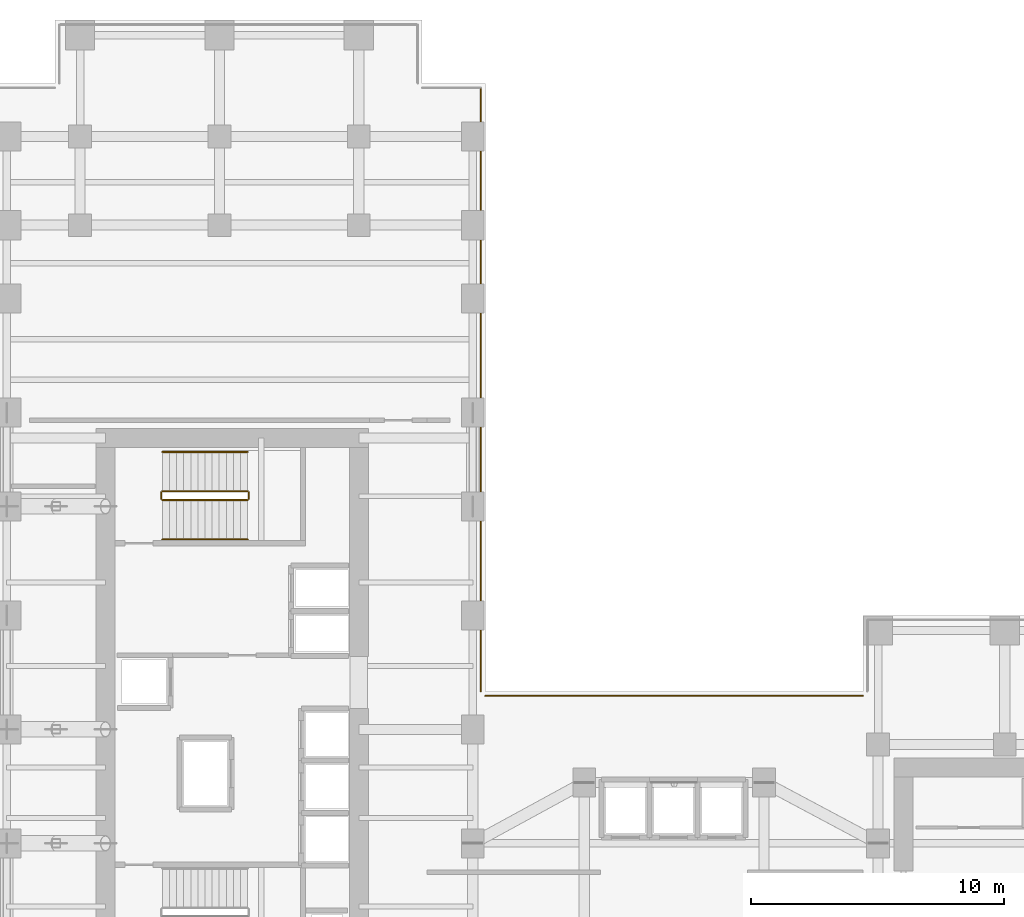
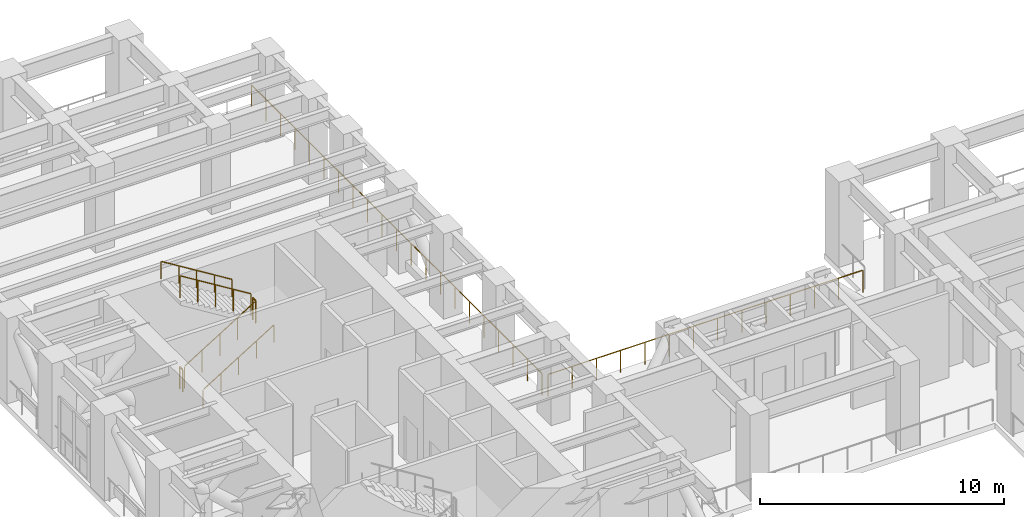
# One storey, part 14 of 16: 8 railings.
"""IFC4 building model written with IfcOpenShell, lengths in metres."""

import ifcopenshell
import ifcopenshell.guid

model = None  # the IFC model being written
_history = None  # IfcOwnerHistory: only IFC2X3 demands one
_inside = {}  # id of a spatial element -> (the spatial element, [elements in it])
_under = {}  # id of a project, library or spatial element -> (it, [spatial elements below it])
_declared = {}  # id of a project -> (the project, [libraries it declares])
_typed = {}  # id of a type object -> (the type object, [elements of that type])
_made_of = {}  # id of a material, layer set ... -> (it, [elements and type objects made of it])


def new_model(schema):
    """Start an empty IFC model of exactly this schema.

    Asked for "IFC4X3", IfcOpenShell would pick the latest addendum, in which some entities
    have other attributes; the version numbers below select the first issue.
    IFC2X3 requires an IfcOwnerHistory on every rooted entity: one is made here for all.
    """
    global model, _history
    if schema == "IFC4X3":
        model = ifcopenshell.file(schema_version=(4, 3, 0, 0))
    else:
        model = ifcopenshell.file(schema=schema)
    _inside.clear()
    _under.clear()
    _declared.clear()
    _typed.clear()
    _made_of.clear()
    _history = None
    if model.schema == "IFC2X3":
        org = make("IfcOrganization", Name="unknown")
        user = make(
            "IfcPersonAndOrganization",
            ThePerson=make("IfcPerson", FamilyName="unknown"),
            TheOrganization=org,
        )
        app = make(
            "IfcApplication",
            ApplicationDeveloper=org,
            Version="unknown",
            ApplicationFullName="unknown",
            ApplicationIdentifier="unknown",
        )
        _history = make(
            "IfcOwnerHistory",
            OwningUser=user,
            OwningApplication=app,
            ChangeAction="ADDED",
            CreationDate=0,
        )
    return model


def make(cls, **values):
    """One entity of the class cls with the attributes given. An attribute that is None is left unset."""
    return model.create_entity(
        cls, **{name: value for name, value in values.items() if value is not None}
    )


def rooted(cls, **values):
    """An entity with a GlobalId (a new one), such as an element, a storey or a relation."""
    return make(cls, GlobalId=ifcopenshell.guid.new(), OwnerHistory=_history, **values)


def si_unit(unit_type, name, prefix=None):
    """IfcSIUnit, for example si_unit("LENGTHUNIT", "METRE", prefix="MILLI")."""
    return make("IfcSIUnit", UnitType=unit_type, Prefix=prefix, Name=name)


def assignment(units):
    """IfcUnitAssignment: the units of a project."""
    return None if units is None else make("IfcUnitAssignment", Units=units)


def point(xyz):
    """IfcCartesianPoint."""
    return None if xyz is None else make("IfcCartesianPoint", Coordinates=xyz)


def direction(xyz):
    """IfcDirection."""
    return None if xyz is None else make("IfcDirection", DirectionRatios=xyz)


def frame(location, z_axis=None, x_axis=None):
    """IfcAxis2Placement3D, a coordinate frame: its origin and axes. An axis left out is left unset."""
    return make(
        "IfcAxis2Placement3D",
        Location=point(location),
        Axis=direction(z_axis),
        RefDirection=direction(x_axis),
    )


def frame_2d(location, x_axis=None):
    """IfcAxis2Placement2D, a coordinate frame in the plane: its origin and x axis."""
    return make(
        "IfcAxis2Placement2D", Location=point(location), RefDirection=direction(x_axis)
    )


def origin():
    """The frame at (0, 0, 0) with its axes left unset."""
    return frame((0.0, 0.0, 0.0))


def origin_2d():
    """The frame at (0, 0) in the plane with its x axis left unset."""
    return frame_2d((0.0, 0.0))


def place(relative_to, where):
    """IfcLocalPlacement: puts the frame where relative to a parent placement (None: the world)."""
    return make(
        "IfcLocalPlacement", PlacementRelTo=relative_to, RelativePlacement=where
    )


def context(
    kind, dimensions, precision=None, world=None, true_north=None, identifier=None
):
    """IfcGeometricRepresentationContext, for example the 3D "Model" context."""
    return make(
        "IfcGeometricRepresentationContext",
        ContextIdentifier=identifier,
        ContextType=kind,
        CoordinateSpaceDimension=dimensions,
        Precision=precision,
        WorldCoordinateSystem=world,
        TrueNorth=true_north,
    )


def subcontext(parent, identifier, kind, view, scale=None):
    """IfcGeometricRepresentationSubContext, for example "Body" below "Model"."""
    return make(
        "IfcGeometricRepresentationSubContext",
        ContextIdentifier=identifier,
        ContextType=kind,
        ParentContext=parent,
        TargetScale=scale,
        TargetView=view,
    )


def project(units=None, contexts=None):
    """IfcProject with its units and contexts."""
    return rooted(
        "IfcProject",
        Name="project",
        RepresentationContexts=contexts,
        UnitsInContext=assignment(units),
    )


def spatial(cls, under=None, at=None, **own):
    """A site, building, storey or space (cls), placed at a placement, below another one or the project."""
    s = rooted(cls, ObjectPlacement=at, **own)
    if under is not None:
        _under.setdefault(under.id(), (under, []))[1].append(s)
    return s


def profile(cls, at=None, kind="AREA", **sizes):
    """A parametric profile (cls). Its sizes go by their IFC names, for example OverallWidth=200.0."""
    return make(cls, ProfileType=kind, Position=at, **sizes)


def circle(**sizes):
    """IfcCircleProfileDef."""
    return profile("IfcCircleProfileDef", **sizes)


def extrude(swept, where, along, depth):
    """IfcExtrudedAreaSolid: the profile swept, set in the frame where, extruded along a direction by depth."""
    return make(
        "IfcExtrudedAreaSolid",
        SweptArea=swept,
        Position=where,
        ExtrudedDirection=direction(along),
        Depth=depth,
    )


def shape(context_of_items, identifier, shape_type, items):
    """IfcShapeRepresentation: the items that make up one representation, for example the "Body"."""
    return make(
        "IfcShapeRepresentation",
        ContextOfItems=context_of_items,
        RepresentationIdentifier=identifier,
        RepresentationType=shape_type,
        Items=items,
    )


def source(mapping_origin, context_of_items, identifier, shape_type, items):
    """IfcRepresentationMap: a shape defined once, which mapped items show again and again."""
    return make(
        "IfcRepresentationMap",
        MappingOrigin=mapping_origin,
        MappedRepresentation=shape(context_of_items, identifier, shape_type, items),
    )


def transform(
    local_origin,
    x_axis=None,
    y_axis=None,
    z_axis=None,
    scale=None,
    scale2=None,
    scale3=None,
    uniform=True,
):
    """IfcCartesianTransformationOperator3D, or its non-uniform kind. x_axis, y_axis, z_axis: its Axis1, 2, 3."""
    if uniform:
        return make(
            "IfcCartesianTransformationOperator3D",
            Axis1=direction(x_axis),
            Axis2=direction(y_axis),
            LocalOrigin=point(local_origin),
            Scale=scale,
            Axis3=direction(z_axis),
        )
    return make(
        "IfcCartesianTransformationOperator3DnonUniform",
        Axis1=direction(x_axis),
        Axis2=direction(y_axis),
        LocalOrigin=point(local_origin),
        Scale=scale,
        Axis3=direction(z_axis),
        Scale2=scale2,
        Scale3=scale3,
    )


def mapped(mapping_source, mapping_target):
    """IfcMappedItem: shows the shape of a source again, moved by a transform."""
    return make(
        "IfcMappedItem", MappingSource=mapping_source, MappingTarget=mapping_target
    )


def material(Name=None, Category=None):
    """IfcMaterial."""
    return make("IfcMaterial", Name=Name, Category=Category)


def layer(
    of_material, thickness, ventilated=None, Name=None, Category=None, Priority=None
):
    """IfcMaterialLayer: one layer of a wall or slab, of a material (None: an air gap)."""
    return make(
        "IfcMaterialLayer",
        Material=of_material,
        LayerThickness=thickness,
        IsVentilated=ventilated,
        Name=Name,
        Category=Category,
        Priority=Priority,
    )


def layer_set(layers, Name=None):
    """IfcMaterialLayerSet."""
    return make("IfcMaterialLayerSet", MaterialLayers=layers, LayerSetName=Name)


def made_of(thing, what):
    """Note that an element or type object is made of a material, layer set ...; save() writes the relation."""
    if what is not None:
        _made_of.setdefault(what.id(), (what, []))[1].append(thing)
    return thing


def type_object(cls, material=None, **own):
    """A type object (cls), such as IfcWallType, which elements share."""
    return made_of(rooted(cls, **own), material)


def element(
    cls,
    number,
    at=None,
    inside=None,
    cuts=None,
    type_object=None,
    material=None,
    context=None,
    identifier="Body",
    shape_type=None,
    held_by="IfcProductDefinitionShape",
    body=None,
    shapes=None,
    **own,
):
    """One element of the class cls, such as IfcWall. Its Tag is "e" and its number.

    at: its placement. inside: the storey or other place that contains it. cuts: it is an
    opening in that element (IfcRelVoidsElement). A single representation is given by context,
    identifier, shape_type and body (its items); several are given by shapes. held_by: the class
    of the entity that holds the representations. save() writes the other relations.
    """
    e = rooted(cls, Tag="e%d" % number, ObjectPlacement=at, **own)
    if body is not None:
        shapes = [shape(context, identifier, shape_type, body)]
    if shapes is not None:
        e.Representation = make(held_by, Representations=shapes)
    if inside is not None:
        _inside.setdefault(inside.id(), (inside, []))[1].append(e)
    if cuts is not None:
        rooted(
            "IfcRelVoidsElement", RelatingBuildingElement=cuts, RelatedOpeningElement=e
        )
    if type_object is not None:
        _typed.setdefault(type_object.id(), (type_object, []))[1].append(e)
    return made_of(e, material)


def aggregate(whole, parts):
    """IfcRelAggregates: a whole, such as a stair, and the parts it consists of."""
    return rooted("IfcRelAggregates", RelatingObject=whole, RelatedObjects=parts)


def save(model, path):
    """Write the relations noted so far, then the file.

    IfcRelAggregates (storeys below a building ...), IfcRelContainedInSpatialStructure (elements
    in a storey), IfcRelDefinesByType, IfcRelAssociatesMaterial and IfcRelDeclares: one each for
    every whole, place, type object, material and project.
    """
    for whole, parts in _under.values():
        aggregate(whole, parts)
    for where, things in _inside.values():
        rooted(
            "IfcRelContainedInSpatialStructure",
            RelatedElements=things,
            RelatingStructure=where,
        )
    for kind, things in _typed.values():
        rooted("IfcRelDefinesByType", RelatedObjects=things, RelatingType=kind)
    for what, things in _made_of.values():
        rooted("IfcRelAssociatesMaterial", RelatedObjects=things, RelatingMaterial=what)
    for by, libraries in _declared.values():
        rooted("IfcRelDeclares", RelatingContext=by, RelatedDefinitions=libraries)
    model.write(path)


model = new_model("IFC4")

# Units and contexts
model_context = context("Model", 3, precision=1e-05, world=origin(), true_north=direction((0.0, 1.0)))
body_context = subcontext(model_context, "Body", "Model", "MODEL_VIEW")
ifc_project = project(units=[si_unit("LENGTHUNIT", "METRE"), si_unit("AREAUNIT", "SQUARE_METRE"), si_unit("VOLUMEUNIT", "CUBIC_METRE"), si_unit("PLANEANGLEUNIT", "RADIAN"), si_unit("MASSUNIT", "GRAM", prefix="KILO")], contexts=[model_context])

# Site, building, storey
site_placement = place(None, origin())
site = spatial("IfcSite", under=ifc_project, at=site_placement, CompositionType="ELEMENT")
building_placement = place(site_placement, origin())
building = spatial("IfcBuilding", under=site, at=building_placement, Name="Kharzan Plaza Tower", CompositionType="ELEMENT")
storey_placement = place(building_placement, frame((0.0, 0.0, 138.60009765625)))
storey = spatial("IfcBuildingStorey", under=building, at=storey_placement, Name="L37", CompositionType="ELEMENT", Elevation=138.60009765625)

# Railings
ifc_material_1 = material(Name="Painted Galvanized Architectural Steel", Category="steel")
ifc_layer_1 = layer(ifc_material_1, 0.074951171875)
ifc_layer_set_1 = layer_set([ifc_layer_1], Name="Painted Galvanized Architectural Steel")
railing_type_1 = type_object("IfcRailingType", Name="RL-GUARD-1120", PredefinedType="BALUSTRADE", material=ifc_layer_set_1)
shared_shape_1 = source(origin(), body_context, "Body", "SweptSolid", [
    extrude(circle(Radius=0.02392578125, at=origin_2d()), frame((0.0224609375, 0.0, 1.10986328125), z_axis=(0.850623216509, 0.0, 0.525775754039), x_axis=(0.0, 1.0, 0.0)), (0.0, 0.0, 1.0), 3.897216796875),
    extrude(circle(Radius=0.02099609375, at=origin_2d()), origin(), (0.0, 0.0, 1.0), 1.072021484375),
    extrude(circle(Radius=0.02099609375, at=origin_2d()), frame((0.840087890625, 0.0, 0.519287109375)), (0.0, 0.0, 1.0), 1.072021484375),
    extrude(circle(Radius=0.02099609375, at=origin_2d()), frame((1.68017578125, 0.0, 1.03857421875)), (0.0, 0.0, 1.0), 1.072021484375),
    extrude(circle(Radius=0.02099609375, at=origin_2d()), frame((2.52001953125, 0.0, 1.5576171875)), (0.0, 0.0, 1.0), 1.072021484375),
    extrude(circle(Radius=0.02099609375, at=origin_2d()), frame((3.360107421875, 0.0, 2.076904296875)), (0.0, 0.0, 1.0), 1.072021484375),
])
railing_1_placement = place(storey_placement, frame((6.75, 27.050048828125, 0.173095703125)))
element("IfcRailing", 1, at=railing_1_placement, inside=storey, type_object=railing_type_1, Name="L37 ST-2 stair guard 1", PredefinedType="BALUSTRADE", context=body_context, shape_type="MappedRepresentation", body=[
    mapped(shared_shape_1, transform((0.0, 0.0, 0.0), x_axis=(1.0, 0.0, 0.0), y_axis=(0.0, 1.0, 0.0), z_axis=(0.0, 0.0, 1.0))),
])
shared_shape_2 = source(origin(), body_context, "Body", "SweptSolid", [
    extrude(circle(Radius=0.02392578125, at=origin_2d()), frame((0.0, 0.0263671875, 1.09619140625), z_axis=(0.0, 1.0, 0.0), x_axis=(-1.0, 0.0, 0.0)), (0.0, 0.0, 1.0), 0.197021484375),
    extrude(circle(Radius=0.02099609375, at=origin_2d()), origin(), (0.0, 0.0, 1.0), 1.072021484375),
    extrude(circle(Radius=0.02099609375, at=origin_2d()), frame((0.0, 0.25, 0.0)), (0.0, 0.0, 1.0), 1.072021484375),
])
for number, where, name in (
    (2, (10.159912109375, 27.10009765625, 2.25), "L37 ST-2 stair guard 2"),
    (3, (6.699951171875, 27.10009765625, 0.0), "L37 ST-2 stair guard 4"),
):
    element("IfcRailing", number, at=place(storey_placement, frame(where)), inside=storey, type_object=railing_type_1, Name=name, PredefinedType="BALUSTRADE", context=body_context, shape_type="MappedRepresentation", body=[
        mapped(shared_shape_2, transform((0.0, 0.0, 0.0), x_axis=(1.0, 0.0, 0.0), y_axis=(0.0, 1.0, 0.0), z_axis=(0.0, 0.0, 1.0))),
    ])
shared_shape_3 = source(origin(), body_context, "Body", "SweptSolid", [
    extrude(circle(Radius=0.02392578125, at=origin_2d()), frame((-0.0224609375, 0.0, 1.10986328125), z_axis=(-0.850623216509, 0.0, 0.525775754039), x_axis=(0.0, -1.0, 0.0)), (0.0, 0.0, 1.0), 3.897216796875),
    extrude(circle(Radius=0.02099609375, at=origin_2d()), origin(), (0.0, 0.0, 1.0), 1.072021484375),
    extrude(circle(Radius=0.02099609375, at=origin_2d()), frame((-0.840087890625, 0.0, 0.519287109375)), (0.0, 0.0, 1.0), 1.072021484375),
    extrude(circle(Radius=0.02099609375, at=origin_2d()), frame((-1.68017578125, 0.0, 1.03857421875)), (0.0, 0.0, 1.0), 1.072021484375),
    extrude(circle(Radius=0.02099609375, at=origin_2d()), frame((-2.52001953125, 0.0, 1.5576171875)), (0.0, 0.0, 1.0), 1.072021484375),
    extrude(circle(Radius=0.02099609375, at=origin_2d()), frame((-3.360107421875, 0.0, 2.076904296875)), (0.0, 0.0, 1.0), 1.072021484375),
])
railing_2_placement = place(storey_placement, frame((10.110107421875, 27.39990234375, 2.423095703125)))
element("IfcRailing", 4, at=railing_2_placement, inside=storey, type_object=railing_type_1, Name="L37 ST-2 stair guard 3", PredefinedType="BALUSTRADE", context=body_context, shape_type="MappedRepresentation", body=[
    mapped(shared_shape_3, transform((0.0, 0.0, 0.0), x_axis=(1.0, 0.0, 0.0), y_axis=(0.0, 1.0, 0.0), z_axis=(0.0, 0.0, 1.0))),
])
ifc_material_2 = material(Name="Brushed Stainless Steel", Category="steel")
ifc_layer_2 = layer(ifc_material_2, 0.050048828125)
ifc_layer_set_2 = layer_set([ifc_layer_2], Name="Brushed Stainless Steel")
railing_type_2 = type_object("IfcRailingType", Name="RL-STAIR-HR920", PredefinedType="HANDRAIL", material=ifc_layer_set_2)
shared_shape_4 = source(origin(), body_context, "Body", "SweptSolid", [
    extrude(circle(Radius=0.02392578125, at=origin_2d()), frame((0.0224609375, 0.0, 0.8896484375), z_axis=(0.850623216509, 0.0, 0.525775754039), x_axis=(0.0, 1.0, 0.0)), (0.0, 0.0, 1.0), 3.897216796875),
    extrude(circle(Radius=0.02099609375, at=origin_2d()), origin(), (0.0, 0.0, 1.0), 0.851806640625),
    extrude(circle(Radius=0.02099609375, at=origin_2d()), frame((0.840087890625, 0.0, 0.519287109375)), (0.0, 0.0, 1.0), 0.851806640625),
    extrude(circle(Radius=0.02099609375, at=origin_2d()), frame((1.68017578125, 0.0, 1.03857421875)), (0.0, 0.0, 1.0), 0.851806640625),
    extrude(circle(Radius=0.02099609375, at=origin_2d()), frame((2.52001953125, 0.0, 1.5576171875)), (0.0, 0.0, 1.0), 0.851806640625),
    extrude(circle(Radius=0.02099609375, at=origin_2d()), frame((3.360107421875, 0.0, 2.076904296875)), (0.0, 0.0, 1.0), 0.851806640625),
])
railing_3_placement = place(storey_placement, frame((6.75, 25.5, 0.173095703125)))
element("IfcRailing", 5, at=railing_3_placement, inside=storey, type_object=railing_type_2, Name="L37 ST-2 stair handrail 1", PredefinedType="HANDRAIL", context=body_context, shape_type="MappedRepresentation", body=[
    mapped(shared_shape_4, transform((0.0, 0.0, 0.0), x_axis=(1.0, 0.0, 0.0), y_axis=(0.0, 1.0, 0.0), z_axis=(0.0, 0.0, 1.0))),
])
shared_shape_5 = source(origin(), body_context, "Body", "SweptSolid", [
    extrude(circle(Radius=0.02392578125, at=origin_2d()), frame((-0.0224609375, 0.0, 0.8896484375), z_axis=(-0.850623216509, 0.0, 0.525775754039), x_axis=(0.0, -1.0, 0.0)), (0.0, 0.0, 1.0), 3.897216796875),
    extrude(circle(Radius=0.02099609375, at=origin_2d()), origin(), (0.0, 0.0, 1.0), 0.851806640625),
    extrude(circle(Radius=0.02099609375, at=origin_2d()), frame((-0.840087890625, 0.0, 0.519287109375)), (0.0, 0.0, 1.0), 0.851806640625),
    extrude(circle(Radius=0.02099609375, at=origin_2d()), frame((-1.68017578125, 0.0, 1.03857421875)), (0.0, 0.0, 1.0), 0.851806640625),
    extrude(circle(Radius=0.02099609375, at=origin_2d()), frame((-2.52001953125, 0.0, 1.5576171875)), (0.0, 0.0, 1.0), 0.851806640625),
    extrude(circle(Radius=0.02099609375, at=origin_2d()), frame((-3.360107421875, 0.0, 2.076904296875)), (0.0, 0.0, 1.0), 0.851806640625),
])
railing_4_placement = place(storey_placement, frame((10.110107421875, 28.949951171875, 2.423095703125)))
element("IfcRailing", 6, at=railing_4_placement, inside=storey, type_object=railing_type_2, Name="L37 ST-2 stair handrail 2", PredefinedType="HANDRAIL", context=body_context, shape_type="MappedRepresentation", body=[
    mapped(shared_shape_5, transform((0.0, 0.0, 0.0), x_axis=(1.0, 0.0, 0.0), y_axis=(0.0, 1.0, 0.0), z_axis=(0.0, 0.0, 1.0))),
])
shared_shape_6 = source(origin(), body_context, "Body", "SweptSolid", [
    extrude(circle(Radius=0.02392578125, at=origin_2d()), frame((0.0, -0.0263671875, 1.09619140625), z_axis=(0.0, -1.0, 0.0), x_axis=(1.0, 0.0, 0.0)), (0.0, 0.0, 1.0), 23.76708984375),
    extrude(circle(Radius=0.02099609375, at=origin_2d()), origin(), (0.0, 0.0, 1.0), 1.072021484375),
    extrude(circle(Radius=0.02099609375, at=origin_2d()), frame((0.0, -1.19091796875, 0.0)), (0.0, 0.0, 1.0), 1.072021484375),
    extrude(circle(Radius=0.02099609375, at=origin_2d()), frame((0.0, -2.382080078125, 0.0)), (0.0, 0.0, 1.0), 1.072021484375),
    extrude(circle(Radius=0.02099609375, at=origin_2d()), frame((0.0, -3.572998046875, 0.0)), (0.0, 0.0, 1.0), 1.072021484375),
    extrude(circle(Radius=0.02099609375, at=origin_2d()), frame((0.0, -4.763916015625, 0.0)), (0.0, 0.0, 1.0), 1.072021484375),
    extrude(circle(Radius=0.02099609375, at=origin_2d()), frame((0.0, -5.955078125, 0.0)), (0.0, 0.0, 1.0), 1.072021484375),
    extrude(circle(Radius=0.02099609375, at=origin_2d()), frame((0.0, -7.14599609375, 0.0)), (0.0, 0.0, 1.0), 1.072021484375),
    extrude(circle(Radius=0.02099609375, at=origin_2d()), frame((0.0, -8.3369140625, 0.0)), (0.0, 0.0, 1.0), 1.072021484375),
    extrude(circle(Radius=0.02099609375, at=origin_2d()), frame((0.0, -9.528076171875, 0.0)), (0.0, 0.0, 1.0), 1.072021484375),
    extrude(circle(Radius=0.02099609375, at=origin_2d()), frame((0.0, -10.718994140625, 0.0)), (0.0, 0.0, 1.0), 1.072021484375),
    extrude(circle(Radius=0.02099609375, at=origin_2d()), frame((0.0, -11.91015625, 0.0)), (0.0, 0.0, 1.0), 1.072021484375),
    extrude(circle(Radius=0.02099609375, at=origin_2d()), frame((0.0, -13.10107421875, 0.0)), (0.0, 0.0, 1.0), 1.072021484375),
    extrude(circle(Radius=0.02099609375, at=origin_2d()), frame((0.0, -14.2919921875, 0.0)), (0.0, 0.0, 1.0), 1.072021484375),
    extrude(circle(Radius=0.02099609375, at=origin_2d()), frame((0.0, -15.483154296875, 0.0)), (0.0, 0.0, 1.0), 1.072021484375),
    extrude(circle(Radius=0.02099609375, at=origin_2d()), frame((0.0, -16.674072265625, 0.0)), (0.0, 0.0, 1.0), 1.072021484375),
    extrude(circle(Radius=0.02099609375, at=origin_2d()), frame((0.0, -17.864990234375, 0.0)), (0.0, 0.0, 1.0), 1.072021484375),
    extrude(circle(Radius=0.02099609375, at=origin_2d()), frame((0.0, -19.05615234375, 0.0)), (0.0, 0.0, 1.0), 1.072021484375),
    extrude(circle(Radius=0.02099609375, at=origin_2d()), frame((0.0, -20.2470703125, 0.0)), (0.0, 0.0, 1.0), 1.072021484375),
    extrude(circle(Radius=0.02099609375, at=origin_2d()), frame((0.0, -21.43798828125, 0.0)), (0.0, 0.0, 1.0), 1.072021484375),
    extrude(circle(Radius=0.02099609375, at=origin_2d()), frame((0.0, -22.629150390625, 0.0)), (0.0, 0.0, 1.0), 1.072021484375),
    extrude(circle(Radius=0.02099609375, at=origin_2d()), frame((0.0, -23.820068359375, 0.0)), (0.0, 0.0, 1.0), 1.072021484375),
])
railing_5_placement = place(storey_placement, frame((19.320068359375, 43.320068359375, 0.0)))
element("IfcRailing", 7, at=railing_5_placement, inside=storey, type_object=railing_type_1, Name="L37 Open Refuge Floor Perimeter Guard 133", PredefinedType="BALUSTRADE", context=body_context, shape_type="MappedRepresentation", body=[
    mapped(shared_shape_6, transform((0.0, 0.0, 0.0), x_axis=(1.0, 0.0, 0.0), y_axis=(0.0, 1.0, 0.0), z_axis=(0.0, 0.0, 1.0))),
])
shared_shape_7 = source(origin(), body_context, "Body", "SweptSolid", [
    extrude(circle(Radius=0.02392578125, at=origin_2d()), frame((0.0263671875, 0.0, 1.09619140625), z_axis=(1.0, 0.0, 0.0), x_axis=(0.0, 1.0, 0.0)), (0.0, 0.0, 1.0), 14.846923828125),
    extrude(circle(Radius=0.02099609375, at=origin_2d()), origin(), (0.0, 0.0, 1.0), 1.072021484375),
    extrude(circle(Radius=0.02099609375, at=origin_2d()), frame((1.146240234375, 0.0, 0.0)), (0.0, 0.0, 1.0), 1.072021484375),
    extrude(circle(Radius=0.02099609375, at=origin_2d()), frame((2.292236328125, 0.0, 0.0)), (0.0, 0.0, 1.0), 1.072021484375),
    extrude(circle(Radius=0.02099609375, at=origin_2d()), frame((3.4384765625, 0.0, 0.0)), (0.0, 0.0, 1.0), 1.072021484375),
    extrude(circle(Radius=0.02099609375, at=origin_2d()), frame((4.58447265625, 0.0, 0.0)), (0.0, 0.0, 1.0), 1.072021484375),
    extrude(circle(Radius=0.02099609375, at=origin_2d()), frame((5.730712890625, 0.0, 0.0)), (0.0, 0.0, 1.0), 1.072021484375),
    extrude(circle(Radius=0.02099609375, at=origin_2d()), frame((6.876953125, 0.0, 0.0)), (0.0, 0.0, 1.0), 1.072021484375),
    extrude(circle(Radius=0.02099609375, at=origin_2d()), frame((8.02294921875, 0.0, 0.0)), (0.0, 0.0, 1.0), 1.072021484375),
    extrude(circle(Radius=0.02099609375, at=origin_2d()), frame((9.169189453125, 0.0, 0.0)), (0.0, 0.0, 1.0), 1.072021484375),
    extrude(circle(Radius=0.02099609375, at=origin_2d()), frame((10.3154296875, 0.0, 0.0)), (0.0, 0.0, 1.0), 1.072021484375),
    extrude(circle(Radius=0.02099609375, at=origin_2d()), frame((11.46142578125, 0.0, 0.0)), (0.0, 0.0, 1.0), 1.072021484375),
    extrude(circle(Radius=0.02099609375, at=origin_2d()), frame((12.607666015625, 0.0, 0.0)), (0.0, 0.0, 1.0), 1.072021484375),
    extrude(circle(Radius=0.02099609375, at=origin_2d()), frame((13.753662109375, 0.0, 0.0)), (0.0, 0.0, 1.0), 1.072021484375),
    extrude(circle(Radius=0.02099609375, at=origin_2d()), frame((14.89990234375, 0.0, 0.0)), (0.0, 0.0, 1.0), 1.072021484375),
])
railing_6_placement = place(storey_placement, frame((19.5, 19.320068359375, 0.0)))
element("IfcRailing", 8, at=railing_6_placement, inside=storey, type_object=railing_type_1, Name="L37 Open Refuge Floor Perimeter Guard 150", PredefinedType="BALUSTRADE", context=body_context, shape_type="MappedRepresentation", body=[
    mapped(shared_shape_7, transform((0.0, 0.0, 0.0), x_axis=(1.0, 0.0, 0.0), y_axis=(0.0, 1.0, 0.0), z_axis=(0.0, 0.0, 1.0))),
])

save(model, "model.ifc")
